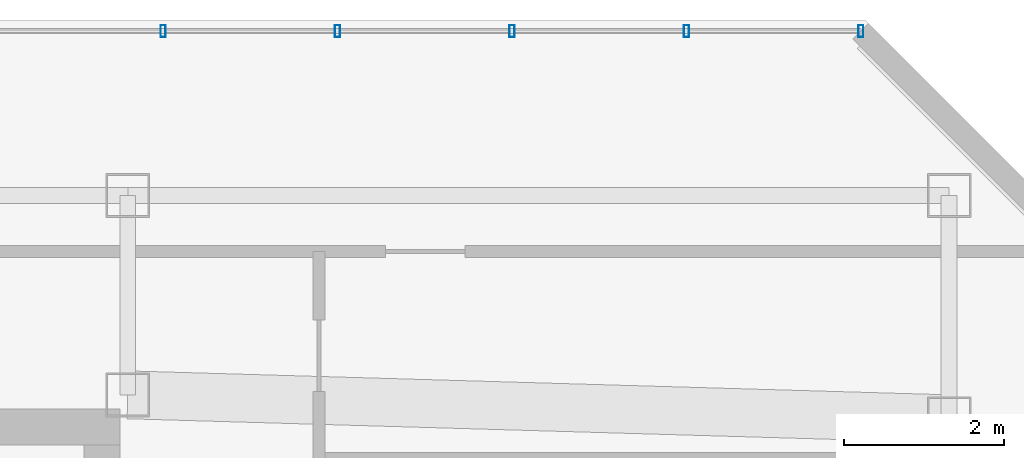
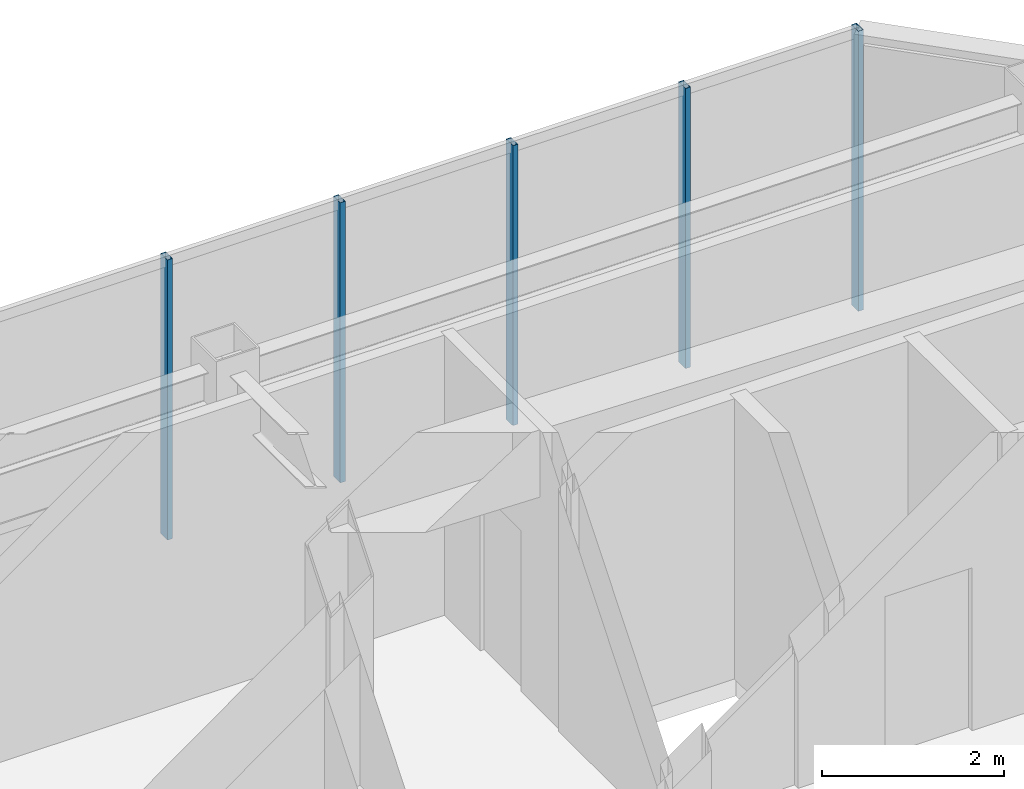
# One storey, part 16 of 23: 5 members, 1 element without a shape of its own.
"""IFC4 building model written with IfcOpenShell, lengths in metres."""

from ifc_helpers import new_model, si_unit, direction, frame, origin, origin_2d, place, context, subcontext, project, spatial, hollow_rectangle, extrude, material, layer, layer_set, material_profile, profile_set, type_object, element, aggregate, save


model = new_model("IFC4")

# Units and contexts
model_context = context("Model", 3, precision=1e-05, world=origin(), true_north=direction((0.0, 1.0)))
body_context = subcontext(model_context, "Body", "Model", "MODEL_VIEW")
ifc_project = project(units=[si_unit("LENGTHUNIT", "METRE"), si_unit("AREAUNIT", "SQUARE_METRE"), si_unit("VOLUMEUNIT", "CUBIC_METRE"), si_unit("PLANEANGLEUNIT", "RADIAN"), si_unit("MASSUNIT", "GRAM", prefix="KILO")], contexts=[model_context])

# Site, building, storey
site_placement = place(None, origin())
site = spatial("IfcSite", under=ifc_project, at=site_placement, CompositionType="ELEMENT")
building_placement = place(site_placement, origin())
building = spatial("IfcBuilding", under=site, at=building_placement, Name="Hatsunagi Terrace Concourse", CompositionType="ELEMENT")
storey_placement = place(building_placement, frame((0.0, 0.0, 281.949951171875)))
storey = spatial("IfcBuildingStorey", under=building, at=storey_placement, Name="L74", CompositionType="ELEMENT", Elevation=281.949951171875)

# Curtain wall, members
ifc_material_1 = material(Name="Anodised Aluminium Alloy 6063-T5", Category="aluminium")
ifc_layer = layer(ifc_material_1, 0.199951171875)
ifc_layer_set = layer_set([ifc_layer], Name="CrownWintergarden_CW06")
curtain_wall_type = type_object("IfcCurtainWallType", Name="CrownWintergarden_CW06", PredefinedType="NOTDEFINED", material=ifc_layer_set)
curtain_wall_placement = place(storey_placement, origin())
curtain_wall = element("IfcCurtainWall", 1, at=curtain_wall_placement, inside=storey, type_object=curtain_wall_type, Name="Unitised Curtain Wall CW-06 CW-L74-09", PredefinedType="NOTDEFINED")
ifc_material_2 = material(Name="Anodised Aluminium Alloy 6063-T5", Category="aluminium")
ifc_material_profile = material_profile(ifc_material_2, hollow_rectangle(XDim=0.06494140625, YDim=0.14990234375, WallThickness=0.00390625, at=origin_2d()), Name="ALU-MUL-150x65x4")
ifc_profile_set = profile_set([ifc_material_profile], Name="Anodised Aluminium Alloy 6063-T5")
member_type = type_object("IfcMemberType", Name="CurtainWallMullion_Crown_150x65", PredefinedType="MULLION", material=ifc_profile_set)
member_1_placement = place(storey_placement, frame((33.7939453125, 47.860107421875, 0.0), z_axis=(0.0, 0.0, 1.0), x_axis=(1.0, 0.0, 0.0)))
member_1 = element("IfcMember", 2, at=member_1_placement, type_object=member_type, Name="Curtain Wall Mullion MUL-03", PredefinedType="MULLION", context=body_context, shape_type="SweptSolid", body=[
    extrude(hollow_rectangle(XDim=0.06494140625, YDim=0.14990234375, WallThickness=0.00390625, at=origin_2d()), origin(), (0.0, 0.0, 1.0), 3.75),
])
member_2_placement = place(storey_placement, frame((35.98095703125, 47.860107421875, 0.0), z_axis=(0.0, 0.0, 1.0), x_axis=(1.0, 0.0, 0.0)))
member_2 = element("IfcMember", 3, at=member_2_placement, type_object=member_type, Name="Curtain Wall Mullion MUL-03", PredefinedType="MULLION", context=body_context, shape_type="SweptSolid", body=[
    extrude(hollow_rectangle(XDim=0.06494140625, YDim=0.14990234375, WallThickness=0.00390625, at=origin_2d()), origin(), (0.0, 0.0, 1.0), 3.75),
])
member_3_placement = place(storey_placement, frame((38.16796875, 47.860107421875, 0.0), z_axis=(0.0, 0.0, 1.0), x_axis=(1.0, 0.0, 0.0)))
member_3 = element("IfcMember", 4, at=member_3_placement, type_object=member_type, Name="Curtain Wall Mullion MUL-03", PredefinedType="MULLION", context=body_context, shape_type="SweptSolid", body=[
    extrude(hollow_rectangle(XDim=0.06494140625, YDim=0.14990234375, WallThickness=0.00390625, at=origin_2d()), origin(), (0.0, 0.0, 1.0), 3.75),
])
member_4_placement = place(storey_placement, frame((40.35498046875, 47.860107421875, 0.0), z_axis=(0.0, 0.0, 1.0), x_axis=(1.0, 0.0, 0.0)))
member_4 = element("IfcMember", 5, at=member_4_placement, type_object=member_type, Name="Curtain Wall Mullion MUL-03", PredefinedType="MULLION", context=body_context, shape_type="SweptSolid", body=[
    extrude(hollow_rectangle(XDim=0.06494140625, YDim=0.14990234375, WallThickness=0.00390625, at=origin_2d()), origin(), (0.0, 0.0, 1.0), 3.75),
])
member_5_placement = place(storey_placement, frame((42.5419921875, 47.860107421875, 0.0), z_axis=(0.0, 0.0, 1.0), x_axis=(1.0, 0.0, 0.0)))
member_5 = element("IfcMember", 6, at=member_5_placement, type_object=member_type, Name="Curtain Wall Mullion MUL-03", PredefinedType="MULLION", context=body_context, shape_type="SweptSolid", body=[
    extrude(hollow_rectangle(XDim=0.06494140625, YDim=0.14990234375, WallThickness=0.00390625, at=origin_2d()), origin(), (0.0, 0.0, 1.0), 3.75),
])
aggregate(curtain_wall, [member_1, member_2, member_3, member_4, member_5])

save(model, "model.ifc")
